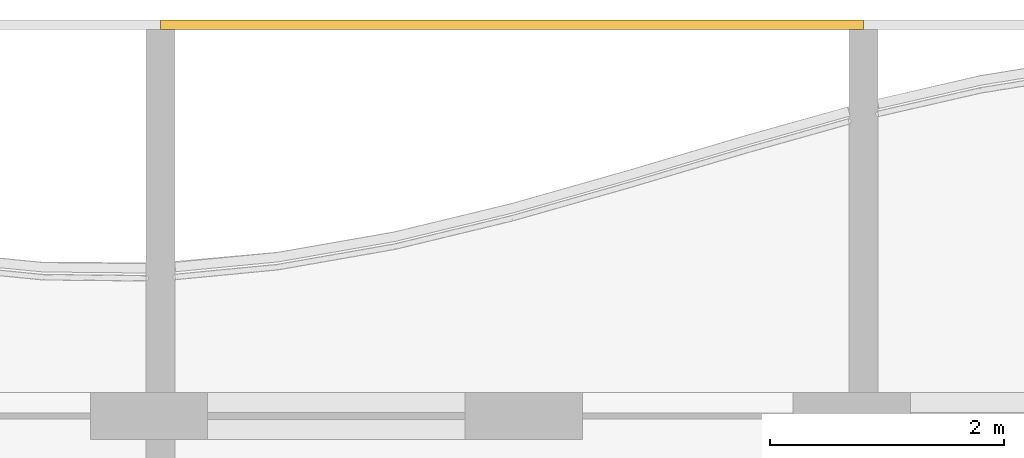
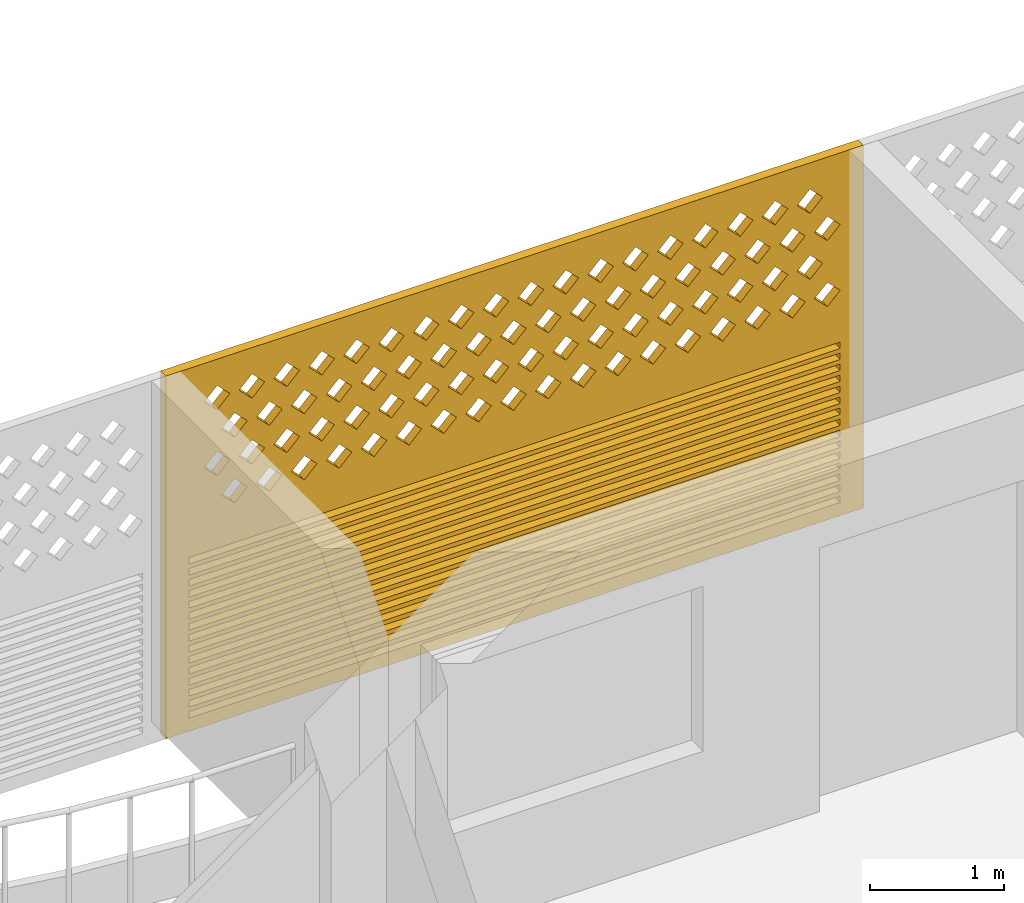
# One storey, part 24 of 26: 1 covering.
"""IFC4 building model written with IfcOpenShell, lengths in metres."""

from ifc_helpers import new_model, si_unit, direction, frame, origin, place, context, subcontext, project, spatial, polyline, outline, extrude, source, transform, mapped, material, material_profile, profile_set, type_object, element, save


model = new_model("IFC4")

# Units and contexts
model_context = context("Model", 3, precision=1e-05, world=origin(), true_north=direction((0.0, 1.0)))
body_context = subcontext(model_context, "Body", "Model", "MODEL_VIEW")
ifc_project = project(units=[si_unit("LENGTHUNIT", "METRE"), si_unit("AREAUNIT", "SQUARE_METRE"), si_unit("VOLUMEUNIT", "CUBIC_METRE"), si_unit("PLANEANGLEUNIT", "RADIAN"), si_unit("MASSUNIT", "GRAM", prefix="KILO")], contexts=[model_context])

# Site, building, storey
site_placement = place(None, origin())
site = spatial("IfcSite", under=ifc_project, at=site_placement, CompositionType="ELEMENT")
building_placement = place(site_placement, origin())
building = spatial("IfcBuilding", under=site, at=building_placement, Name="Poui Terraces", CompositionType="ELEMENT")
storey_placement = place(building_placement, frame((0.0, 0.0, 228.0)))
storey = spatial("IfcBuildingStorey", under=building, at=storey_placement, Name="L63", CompositionType="ELEMENT", Elevation=228.0)

# Covering
ifc_material = material(Name="Terracotta screen", Category="masonry")
ifc_material_profile = material_profile(ifc_material, outline(polyline([(-3.0, -1.64990234375), (3.0, -1.64990234375), (3.0, 1.64990234375), (-3.0, 1.64990234375), (-3.0, -1.64990234375)]), holes=[polyline([(-2.800048828125, 0.39990234375), (-2.68994140625, 0.2900390625), (-2.580078125, 0.39990234375), (-2.68994140625, 0.510009765625), (-2.800048828125, 0.39990234375)]), polyline([(-2.5, 0.39990234375), (-2.389892578125, 0.2900390625), (-2.280029296875, 0.39990234375), (-2.389892578125, 0.510009765625), (-2.5, 0.39990234375)]), polyline([(-2.199951171875, 0.39990234375), (-2.090087890625, 0.2900390625), (-1.97998046875, 0.39990234375), (-2.090087890625, 0.510009765625), (-2.199951171875, 0.39990234375)]), polyline([(-1.89990234375, 0.39990234375), (-1.7900390625, 0.2900390625), (-1.679931640625, 0.39990234375), (-1.7900390625, 0.510009765625), (-1.89990234375, 0.39990234375)]), polyline([(-1.60009765625, 0.39990234375), (-1.489990234375, 0.2900390625), (-1.3798828125, 0.39990234375), (-1.489990234375, 0.510009765625), (-1.60009765625, 0.39990234375)]), polyline([(-1.300048828125, 0.39990234375), (-1.18994140625, 0.2900390625), (-1.080078125, 0.39990234375), (-1.18994140625, 0.510009765625), (-1.300048828125, 0.39990234375)]), polyline([(-1.0, 0.39990234375), (-0.889892578125, 0.2900390625), (-0.780029296875, 0.39990234375), (-0.889892578125, 0.510009765625), (-1.0, 0.39990234375)]), polyline([(-0.699951171875, 0.39990234375), (-0.590087890625, 0.2900390625), (-0.47998046875, 0.39990234375), (-0.590087890625, 0.510009765625), (-0.699951171875, 0.39990234375)]), polyline([(-0.39990234375, 0.39990234375), (-0.2900390625, 0.2900390625), (-0.179931640625, 0.39990234375), (-0.2900390625, 0.510009765625), (-0.39990234375, 0.39990234375)]), polyline([(-0.10009765625, 0.39990234375), (0.010009765625, 0.2900390625), (0.1201171875, 0.39990234375), (0.010009765625, 0.510009765625), (-0.10009765625, 0.39990234375)]), polyline([(0.199951171875, 0.39990234375), (0.31005859375, 0.2900390625), (0.419921875, 0.39990234375), (0.31005859375, 0.510009765625), (0.199951171875, 0.39990234375)]), polyline([(0.5, 0.39990234375), (0.610107421875, 0.2900390625), (0.719970703125, 0.39990234375), (0.610107421875, 0.510009765625), (0.5, 0.39990234375)]), polyline([(0.800048828125, 0.39990234375), (0.909912109375, 0.2900390625), (1.02001953125, 0.39990234375), (0.909912109375, 0.510009765625), (0.800048828125, 0.39990234375)]), polyline([(1.10009765625, 0.39990234375), (1.2099609375, 0.2900390625), (1.320068359375, 0.39990234375), (1.2099609375, 0.510009765625), (1.10009765625, 0.39990234375)]), polyline([(1.39990234375, 0.39990234375), (1.510009765625, 0.2900390625), (1.6201171875, 0.39990234375), (1.510009765625, 0.510009765625), (1.39990234375, 0.39990234375)]), polyline([(1.699951171875, 0.39990234375), (1.81005859375, 0.2900390625), (1.919921875, 0.39990234375), (1.81005859375, 0.510009765625), (1.699951171875, 0.39990234375)]), polyline([(2.0, 0.39990234375), (2.110107421875, 0.2900390625), (2.219970703125, 0.39990234375), (2.110107421875, 0.510009765625), (2.0, 0.39990234375)]), polyline([(2.300048828125, 0.39990234375), (2.409912109375, 0.2900390625), (2.52001953125, 0.39990234375), (2.409912109375, 0.510009765625), (2.300048828125, 0.39990234375)]), polyline([(-2.64990234375, 0.699951171875), (-2.5400390625, 0.590087890625), (-2.429931640625, 0.699951171875), (-2.5400390625, 0.81005859375), (-2.64990234375, 0.699951171875)]), polyline([(-2.35009765625, 0.699951171875), (-2.239990234375, 0.590087890625), (-2.1298828125, 0.699951171875), (-2.239990234375, 0.81005859375), (-2.35009765625, 0.699951171875)]), polyline([(-2.050048828125, 0.699951171875), (-1.93994140625, 0.590087890625), (-1.830078125, 0.699951171875), (-1.93994140625, 0.81005859375), (-2.050048828125, 0.699951171875)]), polyline([(-1.75, 0.699951171875), (-1.639892578125, 0.590087890625), (-1.530029296875, 0.699951171875), (-1.639892578125, 0.81005859375), (-1.75, 0.699951171875)]), polyline([(-1.449951171875, 0.699951171875), (-1.340087890625, 0.590087890625), (-1.22998046875, 0.699951171875), (-1.340087890625, 0.81005859375), (-1.449951171875, 0.699951171875)]), polyline([(-1.14990234375, 0.699951171875), (-1.0400390625, 0.590087890625), (-0.929931640625, 0.699951171875), (-1.0400390625, 0.81005859375), (-1.14990234375, 0.699951171875)]), polyline([(-0.85009765625, 0.699951171875), (-0.739990234375, 0.590087890625), (-0.6298828125, 0.699951171875), (-0.739990234375, 0.81005859375), (-0.85009765625, 0.699951171875)]), polyline([(-0.550048828125, 0.699951171875), (-0.43994140625, 0.590087890625), (-0.330078125, 0.699951171875), (-0.43994140625, 0.81005859375), (-0.550048828125, 0.699951171875)]), polyline([(-0.25, 0.699951171875), (-0.139892578125, 0.590087890625), (-0.030029296875, 0.699951171875), (-0.139892578125, 0.81005859375), (-0.25, 0.699951171875)]), polyline([(0.050048828125, 0.699951171875), (0.159912109375, 0.590087890625), (0.27001953125, 0.699951171875), (0.159912109375, 0.81005859375), (0.050048828125, 0.699951171875)]), polyline([(0.35009765625, 0.699951171875), (0.4599609375, 0.590087890625), (0.570068359375, 0.699951171875), (0.4599609375, 0.81005859375), (0.35009765625, 0.699951171875)]), polyline([(0.64990234375, 0.699951171875), (0.760009765625, 0.590087890625), (0.8701171875, 0.699951171875), (0.760009765625, 0.81005859375), (0.64990234375, 0.699951171875)]), polyline([(0.949951171875, 0.699951171875), (1.06005859375, 0.590087890625), (1.169921875, 0.699951171875), (1.06005859375, 0.81005859375), (0.949951171875, 0.699951171875)]), polyline([(1.25, 0.699951171875), (1.360107421875, 0.590087890625), (1.469970703125, 0.699951171875), (1.360107421875, 0.81005859375), (1.25, 0.699951171875)]), polyline([(1.550048828125, 0.699951171875), (1.659912109375, 0.590087890625), (1.77001953125, 0.699951171875), (1.659912109375, 0.81005859375), (1.550048828125, 0.699951171875)]), polyline([(1.85009765625, 0.699951171875), (1.9599609375, 0.590087890625), (2.070068359375, 0.699951171875), (1.9599609375, 0.81005859375), (1.85009765625, 0.699951171875)]), polyline([(2.14990234375, 0.699951171875), (2.260009765625, 0.590087890625), (2.3701171875, 0.699951171875), (2.260009765625, 0.81005859375), (2.14990234375, 0.699951171875)]), polyline([(2.449951171875, 0.699951171875), (2.56005859375, 0.590087890625), (2.669921875, 0.699951171875), (2.56005859375, 0.81005859375), (2.449951171875, 0.699951171875)]), polyline([(-2.800048828125, 1.0), (-2.68994140625, 0.889892578125), (-2.580078125, 1.0), (-2.68994140625, 1.110107421875), (-2.800048828125, 1.0)]), polyline([(-2.5, 1.0), (-2.389892578125, 0.889892578125), (-2.280029296875, 1.0), (-2.389892578125, 1.110107421875), (-2.5, 1.0)]), polyline([(-2.199951171875, 1.0), (-2.090087890625, 0.889892578125), (-1.97998046875, 1.0), (-2.090087890625, 1.110107421875), (-2.199951171875, 1.0)]), polyline([(-1.89990234375, 1.0), (-1.7900390625, 0.889892578125), (-1.679931640625, 1.0), (-1.7900390625, 1.110107421875), (-1.89990234375, 1.0)]), polyline([(-1.60009765625, 1.0), (-1.489990234375, 0.889892578125), (-1.3798828125, 1.0), (-1.489990234375, 1.110107421875), (-1.60009765625, 1.0)]), polyline([(-1.300048828125, 1.0), (-1.18994140625, 0.889892578125), (-1.080078125, 1.0), (-1.18994140625, 1.110107421875), (-1.300048828125, 1.0)]), polyline([(-1.0, 1.0), (-0.889892578125, 0.889892578125), (-0.780029296875, 1.0), (-0.889892578125, 1.110107421875), (-1.0, 1.0)]), polyline([(-0.699951171875, 1.0), (-0.590087890625, 0.889892578125), (-0.47998046875, 1.0), (-0.590087890625, 1.110107421875), (-0.699951171875, 1.0)]), polyline([(-0.39990234375, 1.0), (-0.2900390625, 0.889892578125), (-0.179931640625, 1.0), (-0.2900390625, 1.110107421875), (-0.39990234375, 1.0)]), polyline([(-0.10009765625, 1.0), (0.010009765625, 0.889892578125), (0.1201171875, 1.0), (0.010009765625, 1.110107421875), (-0.10009765625, 1.0)]), polyline([(0.199951171875, 1.0), (0.31005859375, 0.889892578125), (0.419921875, 1.0), (0.31005859375, 1.110107421875), (0.199951171875, 1.0)]), polyline([(0.5, 1.0), (0.610107421875, 0.889892578125), (0.719970703125, 1.0), (0.610107421875, 1.110107421875), (0.5, 1.0)]), polyline([(0.800048828125, 1.0), (0.909912109375, 0.889892578125), (1.02001953125, 1.0), (0.909912109375, 1.110107421875), (0.800048828125, 1.0)]), polyline([(1.10009765625, 1.0), (1.2099609375, 0.889892578125), (1.320068359375, 1.0), (1.2099609375, 1.110107421875), (1.10009765625, 1.0)]), polyline([(1.39990234375, 1.0), (1.510009765625, 0.889892578125), (1.6201171875, 1.0), (1.510009765625, 1.110107421875), (1.39990234375, 1.0)]), polyline([(1.699951171875, 1.0), (1.81005859375, 0.889892578125), (1.919921875, 1.0), (1.81005859375, 1.110107421875), (1.699951171875, 1.0)]), polyline([(2.0, 1.0), (2.110107421875, 0.889892578125), (2.219970703125, 1.0), (2.110107421875, 1.110107421875), (2.0, 1.0)]), polyline([(2.300048828125, 1.0), (2.409912109375, 0.889892578125), (2.52001953125, 1.0), (2.409912109375, 1.110107421875), (2.300048828125, 1.0)]), polyline([(-2.64990234375, 1.300048828125), (-2.5400390625, 1.18994140625), (-2.429931640625, 1.300048828125), (-2.5400390625, 1.409912109375), (-2.64990234375, 1.300048828125)]), polyline([(-2.35009765625, 1.300048828125), (-2.239990234375, 1.18994140625), (-2.1298828125, 1.300048828125), (-2.239990234375, 1.409912109375), (-2.35009765625, 1.300048828125)]), polyline([(-2.050048828125, 1.300048828125), (-1.93994140625, 1.18994140625), (-1.830078125, 1.300048828125), (-1.93994140625, 1.409912109375), (-2.050048828125, 1.300048828125)]), polyline([(-1.75, 1.300048828125), (-1.639892578125, 1.18994140625), (-1.530029296875, 1.300048828125), (-1.639892578125, 1.409912109375), (-1.75, 1.300048828125)]), polyline([(-1.449951171875, 1.300048828125), (-1.340087890625, 1.18994140625), (-1.22998046875, 1.300048828125), (-1.340087890625, 1.409912109375), (-1.449951171875, 1.300048828125)]), polyline([(-1.14990234375, 1.300048828125), (-1.0400390625, 1.18994140625), (-0.929931640625, 1.300048828125), (-1.0400390625, 1.409912109375), (-1.14990234375, 1.300048828125)]), polyline([(-0.85009765625, 1.300048828125), (-0.739990234375, 1.18994140625), (-0.6298828125, 1.300048828125), (-0.739990234375, 1.409912109375), (-0.85009765625, 1.300048828125)]), polyline([(-0.550048828125, 1.300048828125), (-0.43994140625, 1.18994140625), (-0.330078125, 1.300048828125), (-0.43994140625, 1.409912109375), (-0.550048828125, 1.300048828125)]), polyline([(-0.25, 1.300048828125), (-0.139892578125, 1.18994140625), (-0.030029296875, 1.300048828125), (-0.139892578125, 1.409912109375), (-0.25, 1.300048828125)]), polyline([(0.050048828125, 1.300048828125), (0.159912109375, 1.18994140625), (0.27001953125, 1.300048828125), (0.159912109375, 1.409912109375), (0.050048828125, 1.300048828125)]), polyline([(0.35009765625, 1.300048828125), (0.4599609375, 1.18994140625), (0.570068359375, 1.300048828125), (0.4599609375, 1.409912109375), (0.35009765625, 1.300048828125)]), polyline([(0.64990234375, 1.300048828125), (0.760009765625, 1.18994140625), (0.8701171875, 1.300048828125), (0.760009765625, 1.409912109375), (0.64990234375, 1.300048828125)]), polyline([(0.949951171875, 1.300048828125), (1.06005859375, 1.18994140625), (1.169921875, 1.300048828125), (1.06005859375, 1.409912109375), (0.949951171875, 1.300048828125)]), polyline([(1.25, 1.300048828125), (1.360107421875, 1.18994140625), (1.469970703125, 1.300048828125), (1.360107421875, 1.409912109375), (1.25, 1.300048828125)]), polyline([(1.550048828125, 1.300048828125), (1.659912109375, 1.18994140625), (1.77001953125, 1.300048828125), (1.659912109375, 1.409912109375), (1.550048828125, 1.300048828125)]), polyline([(1.85009765625, 1.300048828125), (1.9599609375, 1.18994140625), (2.070068359375, 1.300048828125), (1.9599609375, 1.409912109375), (1.85009765625, 1.300048828125)]), polyline([(2.14990234375, 1.300048828125), (2.260009765625, 1.18994140625), (2.3701171875, 1.300048828125), (2.260009765625, 1.409912109375), (2.14990234375, 1.300048828125)]), polyline([(2.449951171875, 1.300048828125), (2.56005859375, 1.18994140625), (2.669921875, 1.300048828125), (2.56005859375, 1.409912109375), (2.449951171875, 1.300048828125)]), polyline([(-2.800048828125, -1.530029296875), (2.800048828125, -1.530029296875), (2.800048828125, -1.469970703125), (-2.800048828125, -1.469970703125), (-2.800048828125, -1.530029296875)]), polyline([(-2.800048828125, -1.429931640625), (2.800048828125, -1.429931640625), (2.800048828125, -1.3701171875), (-2.800048828125, -1.3701171875), (-2.800048828125, -1.429931640625)]), polyline([(-2.800048828125, -1.330078125), (2.800048828125, -1.330078125), (2.800048828125, -1.27001953125), (-2.800048828125, -1.27001953125), (-2.800048828125, -1.330078125)]), polyline([(-2.800048828125, -1.22998046875), (2.800048828125, -1.22998046875), (2.800048828125, -1.169921875), (-2.800048828125, -1.169921875), (-2.800048828125, -1.22998046875)]), polyline([(-2.800048828125, -1.1298828125), (2.800048828125, -1.1298828125), (2.800048828125, -1.070068359375), (-2.800048828125, -1.070068359375), (-2.800048828125, -1.1298828125)]), polyline([(-2.800048828125, -1.030029296875), (2.800048828125, -1.030029296875), (2.800048828125, -0.969970703125), (-2.800048828125, -0.969970703125), (-2.800048828125, -1.030029296875)]), polyline([(-2.800048828125, -0.929931640625), (2.800048828125, -0.929931640625), (2.800048828125, -0.8701171875), (-2.800048828125, -0.8701171875), (-2.800048828125, -0.929931640625)]), polyline([(-2.800048828125, -0.830078125), (2.800048828125, -0.830078125), (2.800048828125, -0.77001953125), (-2.800048828125, -0.77001953125), (-2.800048828125, -0.830078125)]), polyline([(-2.800048828125, -0.72998046875), (2.800048828125, -0.72998046875), (2.800048828125, -0.669921875), (-2.800048828125, -0.669921875), (-2.800048828125, -0.72998046875)]), polyline([(-2.800048828125, -0.6298828125), (2.800048828125, -0.6298828125), (2.800048828125, -0.570068359375), (-2.800048828125, -0.570068359375), (-2.800048828125, -0.6298828125)]), polyline([(-2.800048828125, -0.530029296875), (2.800048828125, -0.530029296875), (2.800048828125, -0.469970703125), (-2.800048828125, -0.469970703125), (-2.800048828125, -0.530029296875)]), polyline([(-2.800048828125, -0.429931640625), (2.800048828125, -0.429931640625), (2.800048828125, -0.3701171875), (-2.800048828125, -0.3701171875), (-2.800048828125, -0.429931640625)]), polyline([(-2.800048828125, -0.330078125), (2.800048828125, -0.330078125), (2.800048828125, -0.27001953125), (-2.800048828125, -0.27001953125), (-2.800048828125, -0.330078125)]), polyline([(-2.800048828125, -0.22998046875), (2.800048828125, -0.22998046875), (2.800048828125, -0.169921875), (-2.800048828125, -0.169921875), (-2.800048828125, -0.22998046875)]), polyline([(-2.800048828125, -0.1298828125), (2.800048828125, -0.1298828125), (2.800048828125, -0.070068359375), (-2.800048828125, -0.070068359375), (-2.800048828125, -0.1298828125)])]), Name="TERRACOTTA SCREEN AND JALOUSIE LOUVRE 6000X3300")
ifc_profile_set = profile_set([ifc_material_profile], Name="Terracotta screen")
covering_type = type_object("IfcCoveringType", Name="TERRACOTTA SCREEN AND JALOUSIE LOUVRE 6000X3300", PredefinedType="CLADDING", material=ifc_profile_set)
shared_shape = source(origin(), body_context, "Body", "SweptSolid", [
    extrude(outline(polyline([(-3.0, -1.64990234375), (3.0, -1.64990234375), (3.0, 1.64990234375), (-3.0, 1.64990234375), (-3.0, -1.64990234375)]), holes=[polyline([(-2.800048828125, 0.39990234375), (-2.68994140625, 0.2900390625), (-2.580078125, 0.39990234375), (-2.68994140625, 0.510009765625), (-2.800048828125, 0.39990234375)]), polyline([(-2.5, 0.39990234375), (-2.389892578125, 0.2900390625), (-2.280029296875, 0.39990234375), (-2.389892578125, 0.510009765625), (-2.5, 0.39990234375)]), polyline([(-2.199951171875, 0.39990234375), (-2.090087890625, 0.2900390625), (-1.97998046875, 0.39990234375), (-2.090087890625, 0.510009765625), (-2.199951171875, 0.39990234375)]), polyline([(-1.89990234375, 0.39990234375), (-1.7900390625, 0.2900390625), (-1.679931640625, 0.39990234375), (-1.7900390625, 0.510009765625), (-1.89990234375, 0.39990234375)]), polyline([(-1.60009765625, 0.39990234375), (-1.489990234375, 0.2900390625), (-1.3798828125, 0.39990234375), (-1.489990234375, 0.510009765625), (-1.60009765625, 0.39990234375)]), polyline([(-1.300048828125, 0.39990234375), (-1.18994140625, 0.2900390625), (-1.080078125, 0.39990234375), (-1.18994140625, 0.510009765625), (-1.300048828125, 0.39990234375)]), polyline([(-1.0, 0.39990234375), (-0.889892578125, 0.2900390625), (-0.780029296875, 0.39990234375), (-0.889892578125, 0.510009765625), (-1.0, 0.39990234375)]), polyline([(-0.699951171875, 0.39990234375), (-0.590087890625, 0.2900390625), (-0.47998046875, 0.39990234375), (-0.590087890625, 0.510009765625), (-0.699951171875, 0.39990234375)]), polyline([(-0.39990234375, 0.39990234375), (-0.2900390625, 0.2900390625), (-0.179931640625, 0.39990234375), (-0.2900390625, 0.510009765625), (-0.39990234375, 0.39990234375)]), polyline([(-0.10009765625, 0.39990234375), (0.010009765625, 0.2900390625), (0.1201171875, 0.39990234375), (0.010009765625, 0.510009765625), (-0.10009765625, 0.39990234375)]), polyline([(0.199951171875, 0.39990234375), (0.31005859375, 0.2900390625), (0.419921875, 0.39990234375), (0.31005859375, 0.510009765625), (0.199951171875, 0.39990234375)]), polyline([(0.5, 0.39990234375), (0.610107421875, 0.2900390625), (0.719970703125, 0.39990234375), (0.610107421875, 0.510009765625), (0.5, 0.39990234375)]), polyline([(0.800048828125, 0.39990234375), (0.909912109375, 0.2900390625), (1.02001953125, 0.39990234375), (0.909912109375, 0.510009765625), (0.800048828125, 0.39990234375)]), polyline([(1.10009765625, 0.39990234375), (1.2099609375, 0.2900390625), (1.320068359375, 0.39990234375), (1.2099609375, 0.510009765625), (1.10009765625, 0.39990234375)]), polyline([(1.39990234375, 0.39990234375), (1.510009765625, 0.2900390625), (1.6201171875, 0.39990234375), (1.510009765625, 0.510009765625), (1.39990234375, 0.39990234375)]), polyline([(1.699951171875, 0.39990234375), (1.81005859375, 0.2900390625), (1.919921875, 0.39990234375), (1.81005859375, 0.510009765625), (1.699951171875, 0.39990234375)]), polyline([(2.0, 0.39990234375), (2.110107421875, 0.2900390625), (2.219970703125, 0.39990234375), (2.110107421875, 0.510009765625), (2.0, 0.39990234375)]), polyline([(2.300048828125, 0.39990234375), (2.409912109375, 0.2900390625), (2.52001953125, 0.39990234375), (2.409912109375, 0.510009765625), (2.300048828125, 0.39990234375)]), polyline([(-2.64990234375, 0.699951171875), (-2.5400390625, 0.590087890625), (-2.429931640625, 0.699951171875), (-2.5400390625, 0.81005859375), (-2.64990234375, 0.699951171875)]), polyline([(-2.35009765625, 0.699951171875), (-2.239990234375, 0.590087890625), (-2.1298828125, 0.699951171875), (-2.239990234375, 0.81005859375), (-2.35009765625, 0.699951171875)]), polyline([(-2.050048828125, 0.699951171875), (-1.93994140625, 0.590087890625), (-1.830078125, 0.699951171875), (-1.93994140625, 0.81005859375), (-2.050048828125, 0.699951171875)]), polyline([(-1.75, 0.699951171875), (-1.639892578125, 0.590087890625), (-1.530029296875, 0.699951171875), (-1.639892578125, 0.81005859375), (-1.75, 0.699951171875)]), polyline([(-1.449951171875, 0.699951171875), (-1.340087890625, 0.590087890625), (-1.22998046875, 0.699951171875), (-1.340087890625, 0.81005859375), (-1.449951171875, 0.699951171875)]), polyline([(-1.14990234375, 0.699951171875), (-1.0400390625, 0.590087890625), (-0.929931640625, 0.699951171875), (-1.0400390625, 0.81005859375), (-1.14990234375, 0.699951171875)]), polyline([(-0.85009765625, 0.699951171875), (-0.739990234375, 0.590087890625), (-0.6298828125, 0.699951171875), (-0.739990234375, 0.81005859375), (-0.85009765625, 0.699951171875)]), polyline([(-0.550048828125, 0.699951171875), (-0.43994140625, 0.590087890625), (-0.330078125, 0.699951171875), (-0.43994140625, 0.81005859375), (-0.550048828125, 0.699951171875)]), polyline([(-0.25, 0.699951171875), (-0.139892578125, 0.590087890625), (-0.030029296875, 0.699951171875), (-0.139892578125, 0.81005859375), (-0.25, 0.699951171875)]), polyline([(0.050048828125, 0.699951171875), (0.159912109375, 0.590087890625), (0.27001953125, 0.699951171875), (0.159912109375, 0.81005859375), (0.050048828125, 0.699951171875)]), polyline([(0.35009765625, 0.699951171875), (0.4599609375, 0.590087890625), (0.570068359375, 0.699951171875), (0.4599609375, 0.81005859375), (0.35009765625, 0.699951171875)]), polyline([(0.64990234375, 0.699951171875), (0.760009765625, 0.590087890625), (0.8701171875, 0.699951171875), (0.760009765625, 0.81005859375), (0.64990234375, 0.699951171875)]), polyline([(0.949951171875, 0.699951171875), (1.06005859375, 0.590087890625), (1.169921875, 0.699951171875), (1.06005859375, 0.81005859375), (0.949951171875, 0.699951171875)]), polyline([(1.25, 0.699951171875), (1.360107421875, 0.590087890625), (1.469970703125, 0.699951171875), (1.360107421875, 0.81005859375), (1.25, 0.699951171875)]), polyline([(1.550048828125, 0.699951171875), (1.659912109375, 0.590087890625), (1.77001953125, 0.699951171875), (1.659912109375, 0.81005859375), (1.550048828125, 0.699951171875)]), polyline([(1.85009765625, 0.699951171875), (1.9599609375, 0.590087890625), (2.070068359375, 0.699951171875), (1.9599609375, 0.81005859375), (1.85009765625, 0.699951171875)]), polyline([(2.14990234375, 0.699951171875), (2.260009765625, 0.590087890625), (2.3701171875, 0.699951171875), (2.260009765625, 0.81005859375), (2.14990234375, 0.699951171875)]), polyline([(2.449951171875, 0.699951171875), (2.56005859375, 0.590087890625), (2.669921875, 0.699951171875), (2.56005859375, 0.81005859375), (2.449951171875, 0.699951171875)]), polyline([(-2.800048828125, 1.0), (-2.68994140625, 0.889892578125), (-2.580078125, 1.0), (-2.68994140625, 1.110107421875), (-2.800048828125, 1.0)]), polyline([(-2.5, 1.0), (-2.389892578125, 0.889892578125), (-2.280029296875, 1.0), (-2.389892578125, 1.110107421875), (-2.5, 1.0)]), polyline([(-2.199951171875, 1.0), (-2.090087890625, 0.889892578125), (-1.97998046875, 1.0), (-2.090087890625, 1.110107421875), (-2.199951171875, 1.0)]), polyline([(-1.89990234375, 1.0), (-1.7900390625, 0.889892578125), (-1.679931640625, 1.0), (-1.7900390625, 1.110107421875), (-1.89990234375, 1.0)]), polyline([(-1.60009765625, 1.0), (-1.489990234375, 0.889892578125), (-1.3798828125, 1.0), (-1.489990234375, 1.110107421875), (-1.60009765625, 1.0)]), polyline([(-1.300048828125, 1.0), (-1.18994140625, 0.889892578125), (-1.080078125, 1.0), (-1.18994140625, 1.110107421875), (-1.300048828125, 1.0)]), polyline([(-1.0, 1.0), (-0.889892578125, 0.889892578125), (-0.780029296875, 1.0), (-0.889892578125, 1.110107421875), (-1.0, 1.0)]), polyline([(-0.699951171875, 1.0), (-0.590087890625, 0.889892578125), (-0.47998046875, 1.0), (-0.590087890625, 1.110107421875), (-0.699951171875, 1.0)]), polyline([(-0.39990234375, 1.0), (-0.2900390625, 0.889892578125), (-0.179931640625, 1.0), (-0.2900390625, 1.110107421875), (-0.39990234375, 1.0)]), polyline([(-0.10009765625, 1.0), (0.010009765625, 0.889892578125), (0.1201171875, 1.0), (0.010009765625, 1.110107421875), (-0.10009765625, 1.0)]), polyline([(0.199951171875, 1.0), (0.31005859375, 0.889892578125), (0.419921875, 1.0), (0.31005859375, 1.110107421875), (0.199951171875, 1.0)]), polyline([(0.5, 1.0), (0.610107421875, 0.889892578125), (0.719970703125, 1.0), (0.610107421875, 1.110107421875), (0.5, 1.0)]), polyline([(0.800048828125, 1.0), (0.909912109375, 0.889892578125), (1.02001953125, 1.0), (0.909912109375, 1.110107421875), (0.800048828125, 1.0)]), polyline([(1.10009765625, 1.0), (1.2099609375, 0.889892578125), (1.320068359375, 1.0), (1.2099609375, 1.110107421875), (1.10009765625, 1.0)]), polyline([(1.39990234375, 1.0), (1.510009765625, 0.889892578125), (1.6201171875, 1.0), (1.510009765625, 1.110107421875), (1.39990234375, 1.0)]), polyline([(1.699951171875, 1.0), (1.81005859375, 0.889892578125), (1.919921875, 1.0), (1.81005859375, 1.110107421875), (1.699951171875, 1.0)]), polyline([(2.0, 1.0), (2.110107421875, 0.889892578125), (2.219970703125, 1.0), (2.110107421875, 1.110107421875), (2.0, 1.0)]), polyline([(2.300048828125, 1.0), (2.409912109375, 0.889892578125), (2.52001953125, 1.0), (2.409912109375, 1.110107421875), (2.300048828125, 1.0)]), polyline([(-2.64990234375, 1.300048828125), (-2.5400390625, 1.18994140625), (-2.429931640625, 1.300048828125), (-2.5400390625, 1.409912109375), (-2.64990234375, 1.300048828125)]), polyline([(-2.35009765625, 1.300048828125), (-2.239990234375, 1.18994140625), (-2.1298828125, 1.300048828125), (-2.239990234375, 1.409912109375), (-2.35009765625, 1.300048828125)]), polyline([(-2.050048828125, 1.300048828125), (-1.93994140625, 1.18994140625), (-1.830078125, 1.300048828125), (-1.93994140625, 1.409912109375), (-2.050048828125, 1.300048828125)]), polyline([(-1.75, 1.300048828125), (-1.639892578125, 1.18994140625), (-1.530029296875, 1.300048828125), (-1.639892578125, 1.409912109375), (-1.75, 1.300048828125)]), polyline([(-1.449951171875, 1.300048828125), (-1.340087890625, 1.18994140625), (-1.22998046875, 1.300048828125), (-1.340087890625, 1.409912109375), (-1.449951171875, 1.300048828125)]), polyline([(-1.14990234375, 1.300048828125), (-1.0400390625, 1.18994140625), (-0.929931640625, 1.300048828125), (-1.0400390625, 1.409912109375), (-1.14990234375, 1.300048828125)]), polyline([(-0.85009765625, 1.300048828125), (-0.739990234375, 1.18994140625), (-0.6298828125, 1.300048828125), (-0.739990234375, 1.409912109375), (-0.85009765625, 1.300048828125)]), polyline([(-0.550048828125, 1.300048828125), (-0.43994140625, 1.18994140625), (-0.330078125, 1.300048828125), (-0.43994140625, 1.409912109375), (-0.550048828125, 1.300048828125)]), polyline([(-0.25, 1.300048828125), (-0.139892578125, 1.18994140625), (-0.030029296875, 1.300048828125), (-0.139892578125, 1.409912109375), (-0.25, 1.300048828125)]), polyline([(0.050048828125, 1.300048828125), (0.159912109375, 1.18994140625), (0.27001953125, 1.300048828125), (0.159912109375, 1.409912109375), (0.050048828125, 1.300048828125)]), polyline([(0.35009765625, 1.300048828125), (0.4599609375, 1.18994140625), (0.570068359375, 1.300048828125), (0.4599609375, 1.409912109375), (0.35009765625, 1.300048828125)]), polyline([(0.64990234375, 1.300048828125), (0.760009765625, 1.18994140625), (0.8701171875, 1.300048828125), (0.760009765625, 1.409912109375), (0.64990234375, 1.300048828125)]), polyline([(0.949951171875, 1.300048828125), (1.06005859375, 1.18994140625), (1.169921875, 1.300048828125), (1.06005859375, 1.409912109375), (0.949951171875, 1.300048828125)]), polyline([(1.25, 1.300048828125), (1.360107421875, 1.18994140625), (1.469970703125, 1.300048828125), (1.360107421875, 1.409912109375), (1.25, 1.300048828125)]), polyline([(1.550048828125, 1.300048828125), (1.659912109375, 1.18994140625), (1.77001953125, 1.300048828125), (1.659912109375, 1.409912109375), (1.550048828125, 1.300048828125)]), polyline([(1.85009765625, 1.300048828125), (1.9599609375, 1.18994140625), (2.070068359375, 1.300048828125), (1.9599609375, 1.409912109375), (1.85009765625, 1.300048828125)]), polyline([(2.14990234375, 1.300048828125), (2.260009765625, 1.18994140625), (2.3701171875, 1.300048828125), (2.260009765625, 1.409912109375), (2.14990234375, 1.300048828125)]), polyline([(2.449951171875, 1.300048828125), (2.56005859375, 1.18994140625), (2.669921875, 1.300048828125), (2.56005859375, 1.409912109375), (2.449951171875, 1.300048828125)]), polyline([(-2.800048828125, -1.530029296875), (2.800048828125, -1.530029296875), (2.800048828125, -1.469970703125), (-2.800048828125, -1.469970703125), (-2.800048828125, -1.530029296875)]), polyline([(-2.800048828125, -1.429931640625), (2.800048828125, -1.429931640625), (2.800048828125, -1.3701171875), (-2.800048828125, -1.3701171875), (-2.800048828125, -1.429931640625)]), polyline([(-2.800048828125, -1.330078125), (2.800048828125, -1.330078125), (2.800048828125, -1.27001953125), (-2.800048828125, -1.27001953125), (-2.800048828125, -1.330078125)]), polyline([(-2.800048828125, -1.22998046875), (2.800048828125, -1.22998046875), (2.800048828125, -1.169921875), (-2.800048828125, -1.169921875), (-2.800048828125, -1.22998046875)]), polyline([(-2.800048828125, -1.1298828125), (2.800048828125, -1.1298828125), (2.800048828125, -1.070068359375), (-2.800048828125, -1.070068359375), (-2.800048828125, -1.1298828125)]), polyline([(-2.800048828125, -1.030029296875), (2.800048828125, -1.030029296875), (2.800048828125, -0.969970703125), (-2.800048828125, -0.969970703125), (-2.800048828125, -1.030029296875)]), polyline([(-2.800048828125, -0.929931640625), (2.800048828125, -0.929931640625), (2.800048828125, -0.8701171875), (-2.800048828125, -0.8701171875), (-2.800048828125, -0.929931640625)]), polyline([(-2.800048828125, -0.830078125), (2.800048828125, -0.830078125), (2.800048828125, -0.77001953125), (-2.800048828125, -0.77001953125), (-2.800048828125, -0.830078125)]), polyline([(-2.800048828125, -0.72998046875), (2.800048828125, -0.72998046875), (2.800048828125, -0.669921875), (-2.800048828125, -0.669921875), (-2.800048828125, -0.72998046875)]), polyline([(-2.800048828125, -0.6298828125), (2.800048828125, -0.6298828125), (2.800048828125, -0.570068359375), (-2.800048828125, -0.570068359375), (-2.800048828125, -0.6298828125)]), polyline([(-2.800048828125, -0.530029296875), (2.800048828125, -0.530029296875), (2.800048828125, -0.469970703125), (-2.800048828125, -0.469970703125), (-2.800048828125, -0.530029296875)]), polyline([(-2.800048828125, -0.429931640625), (2.800048828125, -0.429931640625), (2.800048828125, -0.3701171875), (-2.800048828125, -0.3701171875), (-2.800048828125, -0.429931640625)]), polyline([(-2.800048828125, -0.330078125), (2.800048828125, -0.330078125), (2.800048828125, -0.27001953125), (-2.800048828125, -0.27001953125), (-2.800048828125, -0.330078125)]), polyline([(-2.800048828125, -0.22998046875), (2.800048828125, -0.22998046875), (2.800048828125, -0.169921875), (-2.800048828125, -0.169921875), (-2.800048828125, -0.22998046875)]), polyline([(-2.800048828125, -0.1298828125), (2.800048828125, -0.1298828125), (2.800048828125, -0.070068359375), (-2.800048828125, -0.070068359375), (-2.800048828125, -0.1298828125)])]), origin(), (0.0, 0.0, 1.0), 0.080078125),
])
covering_placement = place(storey_placement, frame((69.0, 44.5, 1.449951171875), z_axis=(0.0, 1.0, 0.0), x_axis=(-1.0, 0.0, 0.0)))
element("IfcCovering", 1, at=covering_placement, inside=storey, type_object=covering_type, Name="SOLAR SCREEN AND JALOUSIE LOUVRE", PredefinedType="CLADDING", context=body_context, shape_type="MappedRepresentation", body=[
    mapped(shared_shape, transform((0.0, 0.0, 0.0))),
])

save(model, "model.ifc")
